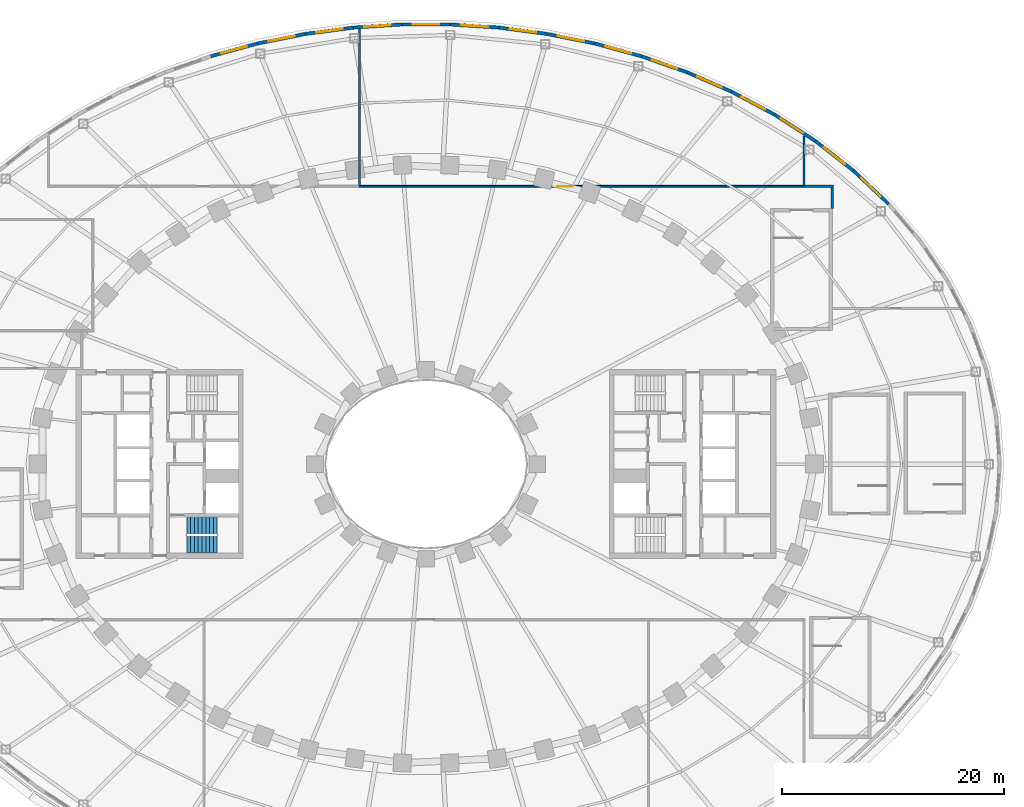
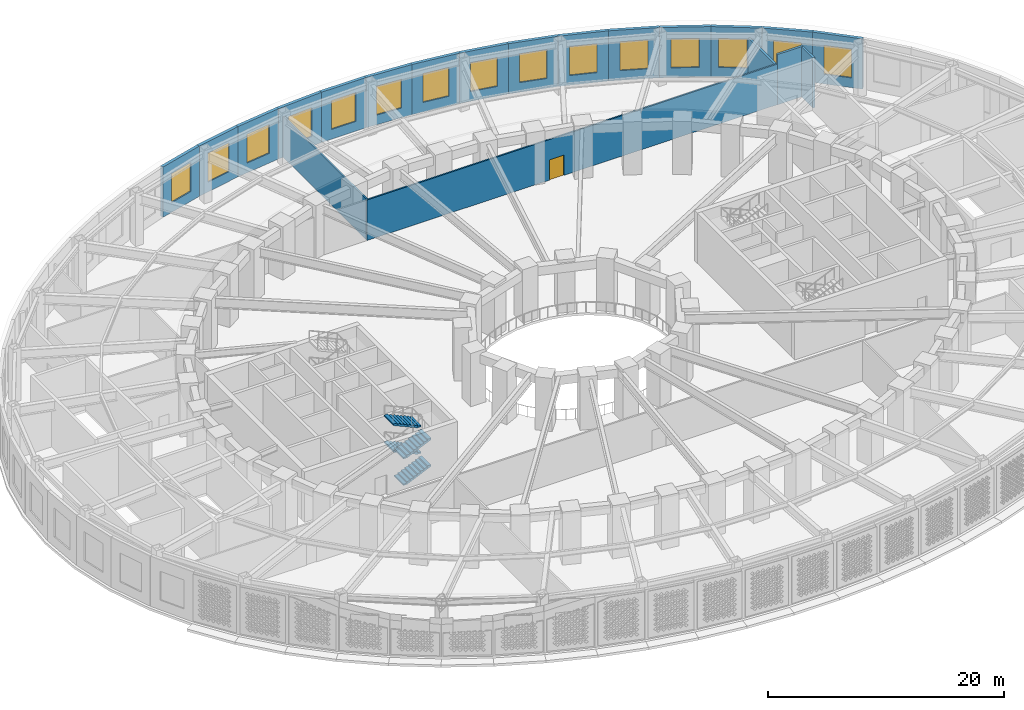
# One storey, part 16 of 63: 20 walls, 15 windows, 4 stair flights, 1 door, 16 openings, 1 element without a shape of its own.
"""IFC4 building model written with IfcOpenShell, lengths in metres."""

from ifc_helpers import new_model, si_unit, direction, frame, frame_2d, origin, place, context, subcontext, project, spatial, polyline, rectangle, outline, extrude, material, layer, layer_set, type_object, element, fill, aggregate, save


model = new_model("IFC4")

# Units and contexts
model_context = context("Model", 3, precision=1e-05, world=origin(), true_north=direction((0.0, 1.0)))
body_context = subcontext(model_context, "Body", "Model", "MODEL_VIEW")
ifc_project = project(units=[si_unit("LENGTHUNIT", "METRE"), si_unit("AREAUNIT", "SQUARE_METRE"), si_unit("VOLUMEUNIT", "CUBIC_METRE"), si_unit("PLANEANGLEUNIT", "RADIAN"), si_unit("MASSUNIT", "GRAM", prefix="KILO")], contexts=[model_context])

# Site, building, storey
site_placement = place(None, origin())
site = spatial("IfcSite", under=ifc_project, at=site_placement, CompositionType="ELEMENT")
building_placement = place(site_placement, origin())
building = spatial("IfcBuilding", under=site, at=building_placement, Name="Noorbagh Ring Tower", CompositionType="ELEMENT")
storey_placement = place(building_placement, frame((0.0, 0.0, 25.0)))
storey = spatial("IfcBuildingStorey", under=building, at=storey_placement, Name="L04", CompositionType="ELEMENT", Elevation=25.0)

# Wall, opening, window
ifc_material_1 = material(Name="Blockwork faced with red sandstone", Category="masonry")
ifc_layer_1 = layer(ifc_material_1, 0.300048828125)
ifc_layer_set_1 = layer_set([ifc_layer_1], Name="Blockwork faced with red sandstone")
wall_type_1 = type_object("IfcWallType", Name="GND-ENV-WALL", PredefinedType="SOLIDWALL", material=ifc_layer_set_1)
wall_1_placement = place(storey_placement, frame((41.61669921875, 23.406005859375, 0.0), z_axis=(0.0, 0.0, 1.0), x_axis=(-0.72620446032, 0.687478786444, 0.0)))
wall_1 = element("IfcWall", 1, at=wall_1_placement, inside=storey, type_object=wall_type_1, Name="Podium wall", PredefinedType="SOLIDWALL", context=body_context, shape_type="SweptSolid", body=[
    extrude(rectangle(XDim=4.356201171875, YDim=0.300048828125, at=frame_2d((2.17822265625, 0.0))), origin(), (0.0, 0.0, 1.0), 5.199951171875),
])
opening_1_placement = place(wall_1_placement, frame((0.97802734375, 0.0, 1.0)))
opening_1 = element("IfcOpeningElement", 2, at=opening_1_placement, cuts=wall_1, Name="Opening GWN1", PredefinedType="OPENING", context=body_context, shape_type="SweptSolid", body=[
    extrude(rectangle(XDim=2.39990234375, YDim=3.0, at=frame_2d((1.199951171875, 1.5))), frame((0.0, 0.16015625, 0.0), z_axis=(0.0, -1.0, 0.0), x_axis=(1.0, 0.0, 0.0)), (0.0, 0.0, 1.0), 0.320068359375),
])
ifc_material_2 = material(Name="Aluminium and glass", Category="aluminium")
window_type = type_object("IfcWindowType", Name="GND-ENV-WINDOW", PartitioningType="SINGLE_PANEL", PredefinedType="WINDOW", material=ifc_material_2)
window_1_placement = place(opening_1_placement, origin())
window_1 = element("IfcWindow", 3, at=window_1_placement, inside=storey, type_object=window_type, Name="L04 podium window", OverallHeight=3.0, OverallWidth=2.39990234375, PartitioningType="SINGLE_PANEL", PredefinedType="WINDOW", context=body_context, shape_type="SweptSolid", body=[
    extrude(rectangle(XDim=2.39990234375, YDim=3.0, at=frame_2d((1.199951171875, 1.5))), frame((0.0, 0.030029296875, 0.0), z_axis=(0.0, -1.0, 0.0), x_axis=(1.0, 0.0, 0.0)), (0.0, 0.0, 1.0), 0.06005859375),
])
fill(opening_1, window_1)

wall_2_placement = place(storey_placement, frame((38.453125, 26.40087890625, 0.0), z_axis=(0.0, 0.0, 1.0), x_axis=(-0.788491985196, 0.615045030288, 0.0)))
wall_2 = element("IfcWall", 4, at=wall_2_placement, inside=storey, type_object=wall_type_1, Name="Podium wall", PredefinedType="SOLIDWALL", context=body_context, shape_type="SweptSolid", body=[
    extrude(rectangle(XDim=4.359375, YDim=0.300048828125, at=frame_2d((2.1796875, 0.0))), origin(), (0.0, 0.0, 1.0), 5.199951171875),
])
opening_2_placement = place(wall_2_placement, frame((0.979736328125, 0.0, 1.0)))
opening_2 = element("IfcOpeningElement", 5, at=opening_2_placement, cuts=wall_2, Name="Opening GWN1", PredefinedType="OPENING", context=body_context, shape_type="SweptSolid", body=[
    extrude(rectangle(XDim=2.39990234375, YDim=3.0, at=frame_2d((1.199951171875, 1.5))), frame((0.0, 0.16015625, 0.0), z_axis=(0.0, -1.0, 0.0), x_axis=(1.0, 0.0, 0.0)), (0.0, 0.0, 1.0), 0.320068359375),
])
window_2_placement = place(opening_2_placement, origin())
window_2 = element("IfcWindow", 6, at=window_2_placement, inside=storey, type_object=window_type, Name="L04 podium window", OverallHeight=3.0, OverallWidth=2.39990234375, PartitioningType="SINGLE_PANEL", PredefinedType="WINDOW", context=body_context, shape_type="SweptSolid", body=[
    extrude(rectangle(XDim=2.39990234375, YDim=3.0, at=frame_2d((1.199951171875, 1.5))), frame((0.0, 0.030029296875, 0.0), z_axis=(0.0, -1.0, 0.0), x_axis=(1.0, 0.0, 0.0)), (0.0, 0.0, 1.0), 0.06005859375),
])
fill(opening_2, window_2)

wall_3_placement = place(storey_placement, frame((35.015869140625, 29.08203125, 0.0), z_axis=(0.0, 0.0, 1.0), x_axis=(-0.840047348843, 0.542513088969, 0.0)))
wall_3 = element("IfcWall", 7, at=wall_3_placement, inside=storey, type_object=wall_type_1, Name="Podium wall", PredefinedType="SOLIDWALL", context=body_context, shape_type="SweptSolid", body=[
    extrude(rectangle(XDim=4.362060546875, YDim=0.300048828125, at=frame_2d((2.18115234375, 0.0))), origin(), (0.0, 0.0, 1.0), 5.199951171875),
])
opening_3_placement = place(wall_3_placement, frame((1.291015625, 0.0, 1.0)))
opening_3 = element("IfcOpeningElement", 8, at=opening_3_placement, cuts=wall_3, Name="Opening GWN1", PredefinedType="OPENING", context=body_context, shape_type="SweptSolid", body=[
    extrude(rectangle(XDim=2.39990234375, YDim=3.0, at=frame_2d((1.199951171875, 1.5))), frame((0.0, 0.16015625, 0.0), z_axis=(0.0, -1.0, 0.0), x_axis=(1.0, 0.0, 0.0)), (0.0, 0.0, 1.0), 0.320068359375),
])
window_3_placement = place(opening_3_placement, origin())
window_3 = element("IfcWindow", 9, at=window_3_placement, inside=storey, type_object=window_type, Name="L04 podium window", OverallHeight=3.0, OverallWidth=2.39990234375, PartitioningType="SINGLE_PANEL", PredefinedType="WINDOW", context=body_context, shape_type="SweptSolid", body=[
    extrude(rectangle(XDim=2.39990234375, YDim=3.0, at=frame_2d((1.199951171875, 1.5))), frame((0.0, 0.030029296875, 0.0), z_axis=(0.0, -1.0, 0.0), x_axis=(1.0, 0.0, 0.0)), (0.0, 0.0, 1.0), 0.06005859375),
])
fill(opening_3, window_3)

wall_4_placement = place(storey_placement, frame((31.3515625, 31.448486328125, 0.0), z_axis=(0.0, 0.0, 1.0), x_axis=(-0.882159305704, 0.47095112205, 0.0)))
wall_4 = element("IfcWall", 10, at=wall_4_placement, inside=storey, type_object=wall_type_1, Name="Podium wall", PredefinedType="SOLIDWALL", context=body_context, shape_type="SweptSolid", body=[
    extrude(rectangle(XDim=4.364501953125, YDim=0.300048828125, at=frame_2d((2.18212890625, 0.0))), origin(), (0.0, 0.0, 1.0), 5.199951171875),
])
opening_4_placement = place(wall_4_placement, frame((0.982177734375, 0.0, 1.0)))
opening_4 = element("IfcOpeningElement", 11, at=opening_4_placement, cuts=wall_4, Name="Opening GWN1", PredefinedType="OPENING", context=body_context, shape_type="SweptSolid", body=[
    extrude(rectangle(XDim=2.39990234375, YDim=3.0, at=frame_2d((1.199951171875, 1.5))), frame((0.0, 0.16015625, 0.0), z_axis=(0.0, -1.0, 0.0), x_axis=(1.0, 0.0, 0.0)), (0.0, 0.0, 1.0), 0.320068359375),
])
window_4_placement = place(opening_4_placement, origin())
window_4 = element("IfcWindow", 12, at=window_4_placement, inside=storey, type_object=window_type, Name="L04 podium window", OverallHeight=3.0, OverallWidth=2.39990234375, PartitioningType="SINGLE_PANEL", PredefinedType="WINDOW", context=body_context, shape_type="SweptSolid", body=[
    extrude(rectangle(XDim=2.39990234375, YDim=3.0, at=frame_2d((1.199951171875, 1.5))), frame((0.0, 0.030029296875, 0.0), z_axis=(0.0, -1.0, 0.0), x_axis=(1.0, 0.0, 0.0)), (0.0, 0.0, 1.0), 0.06005859375),
])
fill(opening_4, window_4)

wall_5_placement = place(storey_placement, frame((27.50146484375, 33.50390625, 0.0), z_axis=(0.0, 0.0, 1.0), x_axis=(-0.916336904548, 0.400408138483, 0.0)))
wall_5 = element("IfcWall", 13, at=wall_5_placement, inside=storey, type_object=wall_type_1, Name="Podium wall", PredefinedType="SOLIDWALL", context=body_context, shape_type="SweptSolid", body=[
    extrude(rectangle(XDim=4.3662109375, YDim=0.300048828125, at=frame_2d((2.18310546875, 0.0))), origin(), (0.0, 0.0, 1.0), 5.199951171875),
])
opening_5_placement = place(wall_5_placement, frame((0.983154296875, 0.0, 1.0)))
opening_5 = element("IfcOpeningElement", 14, at=opening_5_placement, cuts=wall_5, Name="Opening GWN1", PredefinedType="OPENING", context=body_context, shape_type="SweptSolid", body=[
    extrude(rectangle(XDim=2.39990234375, YDim=3.0, at=frame_2d((1.199951171875, 1.5))), frame((0.0, 0.16015625, 0.0), z_axis=(0.0, -1.0, 0.0), x_axis=(1.0, 0.0, 0.0)), (0.0, 0.0, 1.0), 0.320068359375),
])
window_5_placement = place(opening_5_placement, origin())
window_5 = element("IfcWindow", 15, at=window_5_placement, inside=storey, type_object=window_type, Name="L04 podium window", OverallHeight=3.0, OverallWidth=2.39990234375, PartitioningType="SINGLE_PANEL", PredefinedType="WINDOW", context=body_context, shape_type="SweptSolid", body=[
    extrude(rectangle(XDim=2.39990234375, YDim=3.0, at=frame_2d((1.199951171875, 1.5))), frame((0.0, 0.030029296875, 0.0), z_axis=(0.0, -1.0, 0.0), x_axis=(1.0, 0.0, 0.0)), (0.0, 0.0, 1.0), 0.06005859375),
])
fill(opening_5, window_5)

wall_6_placement = place(storey_placement, frame((23.50048828125, 35.252197265625, 0.0), z_axis=(0.0, 0.0, 1.0), x_axis=(-0.943526738033, 0.331296384853, 0.0)))
wall_6 = element("IfcWall", 16, at=wall_6_placement, inside=storey, type_object=wall_type_1, Name="Podium wall", PredefinedType="SOLIDWALL", context=body_context, shape_type="SweptSolid", body=[
    extrude(rectangle(XDim=4.36767578125, YDim=0.300048828125, at=frame_2d((2.183837890625, 0.0))), origin(), (0.0, 0.0, 1.0), 5.199951171875),
])
opening_6_placement = place(wall_6_placement, frame((0.98388671875, 0.0, 1.0)))
opening_6 = element("IfcOpeningElement", 17, at=opening_6_placement, cuts=wall_6, Name="Opening GWN1", PredefinedType="OPENING", context=body_context, shape_type="SweptSolid", body=[
    extrude(rectangle(XDim=2.39990234375, YDim=3.0, at=frame_2d((1.199951171875, 1.5))), frame((0.0, 0.16015625, 0.0), z_axis=(0.0, -1.0, 0.0), x_axis=(1.0, 0.0, 0.0)), (0.0, 0.0, 1.0), 0.320068359375),
])
window_6_placement = place(opening_6_placement, origin())
window_6 = element("IfcWindow", 18, at=window_6_placement, inside=storey, type_object=window_type, Name="L04 podium window", OverallHeight=3.0, OverallWidth=2.39990234375, PartitioningType="SINGLE_PANEL", PredefinedType="WINDOW", context=body_context, shape_type="SweptSolid", body=[
    extrude(rectangle(XDim=2.39990234375, YDim=3.0, at=frame_2d((1.199951171875, 1.5))), frame((0.0, 0.030029296875, 0.0), z_axis=(0.0, -1.0, 0.0), x_axis=(1.0, 0.0, 0.0)), (0.0, 0.0, 1.0), 0.06005859375),
])
fill(opening_6, window_6)

wall_7_placement = place(storey_placement, frame((19.37939453125, 36.69921875, 0.0), z_axis=(0.0, 0.0, 1.0), x_axis=(-0.964679950239, 0.263424739931, 0.0)))
wall_7 = element("IfcWall", 19, at=wall_7_placement, inside=storey, type_object=wall_type_1, Name="Podium wall", PredefinedType="SOLIDWALL", context=body_context, shape_type="SweptSolid", body=[
    extrude(rectangle(XDim=4.368896484375, YDim=0.300048828125, at=frame_2d((2.1845703125, 0.0))), origin(), (0.0, 0.0, 1.0), 5.199951171875),
])
opening_7_placement = place(wall_7_placement, frame((0.984619140625, 0.0, 1.0)))
opening_7 = element("IfcOpeningElement", 20, at=opening_7_placement, cuts=wall_7, Name="Opening GWN1", PredefinedType="OPENING", context=body_context, shape_type="SweptSolid", body=[
    extrude(rectangle(XDim=2.39990234375, YDim=3.0, at=frame_2d((1.199951171875, 1.5))), frame((0.0, 0.16015625, 0.0), z_axis=(0.0, -1.0, 0.0), x_axis=(1.0, 0.0, 0.0)), (0.0, 0.0, 1.0), 0.320068359375),
])
window_7_placement = place(opening_7_placement, origin())
window_7 = element("IfcWindow", 21, at=window_7_placement, inside=storey, type_object=window_type, Name="L04 podium window", OverallHeight=3.0, OverallWidth=2.39990234375, PartitioningType="SINGLE_PANEL", PredefinedType="WINDOW", context=body_context, shape_type="SweptSolid", body=[
    extrude(rectangle(XDim=2.39990234375, YDim=3.0, at=frame_2d((1.199951171875, 1.5))), frame((0.0, 0.030029296875, 0.0), z_axis=(0.0, -1.0, 0.0), x_axis=(1.0, 0.0, 0.0)), (0.0, 0.0, 1.0), 0.06005859375),
])
fill(opening_7, window_7)

wall_8_placement = place(storey_placement, frame((15.164794921875, 37.85009765625, 0.0), z_axis=(0.0, 0.0, 1.0), x_axis=(-0.980494629762, 0.196545875071, 0.0)))
wall_8 = element("IfcWall", 22, at=wall_8_placement, inside=storey, type_object=wall_type_1, Name="Podium wall", PredefinedType="SOLIDWALL", context=body_context, shape_type="SweptSolid", body=[
    extrude(rectangle(XDim=4.369873046875, YDim=0.300048828125, at=frame_2d((2.18505859375, 0.0))), origin(), (0.0, 0.0, 1.0), 5.199951171875),
])
opening_8_placement = place(wall_8_placement, frame((0.98486328125, 0.0, 1.0)))
opening_8 = element("IfcOpeningElement", 23, at=opening_8_placement, cuts=wall_8, Name="Opening GWN1", PredefinedType="OPENING", context=body_context, shape_type="SweptSolid", body=[
    extrude(rectangle(XDim=2.39990234375, YDim=3.0, at=frame_2d((1.199951171875, 1.5))), frame((0.0, 0.16015625, 0.0), z_axis=(0.0, -1.0, 0.0), x_axis=(1.0, 0.0, 0.0)), (0.0, 0.0, 1.0), 0.320068359375),
])
window_8_placement = place(opening_8_placement, origin())
window_8 = element("IfcWindow", 24, at=window_8_placement, inside=storey, type_object=window_type, Name="L04 podium window", OverallHeight=3.0, OverallWidth=2.39990234375, PartitioningType="SINGLE_PANEL", PredefinedType="WINDOW", context=body_context, shape_type="SweptSolid", body=[
    extrude(rectangle(XDim=2.39990234375, YDim=3.0, at=frame_2d((1.199951171875, 1.5))), frame((0.0, 0.030029296875, 0.0), z_axis=(0.0, -1.0, 0.0), x_axis=(1.0, 0.0, 0.0)), (0.0, 0.0, 1.0), 0.06005859375),
])
fill(opening_8, window_8)

wall_9_placement = place(storey_placement, frame((10.880126953125, 38.708984375, 0.0), z_axis=(0.0, 0.0, 1.0), x_axis=(-0.991441741932, 0.130549884544, 0.0)))
wall_9 = element("IfcWall", 25, at=wall_9_placement, inside=storey, type_object=wall_type_1, Name="Podium wall", PredefinedType="SOLIDWALL", context=body_context, shape_type="SweptSolid", body=[
    extrude(rectangle(XDim=4.370361328125, YDim=0.300048828125, at=frame_2d((2.18505859375, 0.0))), origin(), (0.0, 0.0, 1.0), 5.199951171875),
])
opening_9_placement = place(wall_9_placement, frame((0.985107421875, 0.0, 1.0)))
opening_9 = element("IfcOpeningElement", 26, at=opening_9_placement, cuts=wall_9, Name="Opening GWN1", PredefinedType="OPENING", context=body_context, shape_type="SweptSolid", body=[
    extrude(rectangle(XDim=2.39990234375, YDim=3.0, at=frame_2d((1.199951171875, 1.5))), frame((0.0, 0.16015625, 0.0), z_axis=(0.0, -1.0, 0.0), x_axis=(1.0, 0.0, 0.0)), (0.0, 0.0, 1.0), 0.320068359375),
])
window_9_placement = place(opening_9_placement, origin())
window_9 = element("IfcWindow", 27, at=window_9_placement, inside=storey, type_object=window_type, Name="L04 podium window", OverallHeight=3.0, OverallWidth=2.39990234375, PartitioningType="SINGLE_PANEL", PredefinedType="WINDOW", context=body_context, shape_type="SweptSolid", body=[
    extrude(rectangle(XDim=2.39990234375, YDim=3.0, at=frame_2d((1.199951171875, 1.5))), frame((0.0, 0.030029296875, 0.0), z_axis=(0.0, -1.0, 0.0), x_axis=(1.0, 0.0, 0.0)), (0.0, 0.0, 1.0), 0.06005859375),
])
fill(opening_9, window_9)

wall_10_placement = place(storey_placement, frame((6.547119140625, 39.279541015625, 0.0), z_axis=(0.0, 0.0, 1.0), x_axis=(-0.997876871627, 0.065128711577, 0.0)))
wall_10 = element("IfcWall", 28, at=wall_10_placement, inside=storey, type_object=wall_type_1, Name="Podium wall", PredefinedType="SOLIDWALL", context=body_context, shape_type="SweptSolid", body=[
    extrude(rectangle(XDim=4.370849609375, YDim=0.300048828125, at=frame_2d((2.185546875, 0.0))), origin(), (0.0, 0.0, 1.0), 5.199951171875),
])
opening_10_placement = place(wall_10_placement, frame((0.9853515625, 0.0, 1.0)))
opening_10 = element("IfcOpeningElement", 29, at=opening_10_placement, cuts=wall_10, Name="Opening GWN1", PredefinedType="OPENING", context=body_context, shape_type="SweptSolid", body=[
    extrude(rectangle(XDim=2.39990234375, YDim=3.0, at=frame_2d((1.199951171875, 1.5))), frame((0.0, 0.16015625, 0.0), z_axis=(0.0, -1.0, 0.0), x_axis=(1.0, 0.0, 0.0)), (0.0, 0.0, 1.0), 0.320068359375),
])
window_10_placement = place(opening_10_placement, origin())
window_10 = element("IfcWindow", 30, at=window_10_placement, inside=storey, type_object=window_type, Name="L04 podium window", OverallHeight=3.0, OverallWidth=2.39990234375, PartitioningType="SINGLE_PANEL", PredefinedType="WINDOW", context=body_context, shape_type="SweptSolid", body=[
    extrude(rectangle(XDim=2.39990234375, YDim=3.0, at=frame_2d((1.199951171875, 1.5))), frame((0.0, 0.030029296875, 0.0), z_axis=(0.0, -1.0, 0.0), x_axis=(1.0, 0.0, 0.0)), (0.0, 0.0, 1.0), 0.06005859375),
])
fill(opening_10, window_10)

wall_11_placement = place(storey_placement, frame((2.185546875, 39.564208984375, 0.0), z_axis=(0.0, 0.0, 1.0), x_axis=(-1.0, 0.0, 0.0)))
wall_11 = element("IfcWall", 31, at=wall_11_placement, inside=storey, type_object=wall_type_1, Name="Podium wall", PredefinedType="SOLIDWALL", context=body_context, shape_type="SweptSolid", body=[
    extrude(rectangle(XDim=4.37109375, YDim=0.300048828125, at=frame_2d((2.185546875, 0.0))), origin(), (0.0, 0.0, 1.0), 5.199951171875),
])
opening_11_placement = place(wall_11_placement, frame((0.985595703125, 0.0, 1.0)))
opening_11 = element("IfcOpeningElement", 32, at=opening_11_placement, cuts=wall_11, Name="Opening GWN1", PredefinedType="OPENING", context=body_context, shape_type="SweptSolid", body=[
    extrude(rectangle(XDim=2.39990234375, YDim=3.0, at=frame_2d((1.199951171875, 1.5))), frame((0.0, 0.16015625, 0.0), z_axis=(0.0, -1.0, 0.0), x_axis=(1.0, 0.0, 0.0)), (0.0, 0.0, 1.0), 0.320068359375),
])
window_11_placement = place(opening_11_placement, origin())
window_11 = element("IfcWindow", 33, at=window_11_placement, inside=storey, type_object=window_type, Name="L04 podium window", OverallHeight=3.0, OverallWidth=2.39990234375, PartitioningType="SINGLE_PANEL", PredefinedType="WINDOW", context=body_context, shape_type="SweptSolid", body=[
    extrude(rectangle(XDim=2.39990234375, YDim=3.0, at=frame_2d((1.199951171875, 1.5))), frame((0.0, 0.030029296875, 0.0), z_axis=(0.0, -1.0, 0.0), x_axis=(1.0, 0.0, 0.0)), (0.0, 0.0, 1.0), 0.06005859375),
])
fill(opening_11, window_11)

wall_12_placement = place(storey_placement, frame((-2.185546875, 39.564208984375, 0.0), z_axis=(0.0, 0.0, 1.0), x_axis=(-0.997876871627, -0.065128711577, 0.0)))
wall_12 = element("IfcWall", 34, at=wall_12_placement, inside=storey, type_object=wall_type_1, Name="Podium wall", PredefinedType="SOLIDWALL", context=body_context, shape_type="SweptSolid", body=[
    extrude(rectangle(XDim=4.370849609375, YDim=0.300048828125, at=frame_2d((2.185546875, 0.0))), origin(), (0.0, 0.0, 1.0), 5.199951171875),
])
opening_12_placement = place(wall_12_placement, frame((0.9853515625, 0.0, 1.0)))
opening_12 = element("IfcOpeningElement", 35, at=opening_12_placement, cuts=wall_12, Name="Opening GWN1", PredefinedType="OPENING", context=body_context, shape_type="SweptSolid", body=[
    extrude(rectangle(XDim=2.39990234375, YDim=3.0, at=frame_2d((1.199951171875, 1.5))), frame((0.0, 0.16015625, 0.0), z_axis=(0.0, -1.0, 0.0), x_axis=(1.0, 0.0, 0.0)), (0.0, 0.0, 1.0), 0.320068359375),
])
window_12_placement = place(opening_12_placement, origin())
window_12 = element("IfcWindow", 36, at=window_12_placement, inside=storey, type_object=window_type, Name="L04 podium window", OverallHeight=3.0, OverallWidth=2.39990234375, PartitioningType="SINGLE_PANEL", PredefinedType="WINDOW", context=body_context, shape_type="SweptSolid", body=[
    extrude(rectangle(XDim=2.39990234375, YDim=3.0, at=frame_2d((1.199951171875, 1.5))), frame((0.0, 0.030029296875, 0.0), z_axis=(0.0, -1.0, 0.0), x_axis=(1.0, 0.0, 0.0)), (0.0, 0.0, 1.0), 0.06005859375),
])
fill(opening_12, window_12)

wall_13_placement = place(storey_placement, frame((-6.547119140625, 39.279541015625, 0.0), z_axis=(0.0, 0.0, 1.0), x_axis=(-0.991441741932, -0.130549884544, 0.0)))
wall_13 = element("IfcWall", 37, at=wall_13_placement, inside=storey, type_object=wall_type_1, Name="Podium wall", PredefinedType="SOLIDWALL", context=body_context, shape_type="SweptSolid", body=[
    extrude(rectangle(XDim=4.370361328125, YDim=0.300048828125, at=frame_2d((2.18505859375, 0.0))), origin(), (0.0, 0.0, 1.0), 5.199951171875),
])
opening_13_placement = place(wall_13_placement, frame((0.985107421875, 0.0, 1.0)))
opening_13 = element("IfcOpeningElement", 38, at=opening_13_placement, cuts=wall_13, Name="Opening GWN1", PredefinedType="OPENING", context=body_context, shape_type="SweptSolid", body=[
    extrude(rectangle(XDim=2.39990234375, YDim=3.0, at=frame_2d((1.199951171875, 1.5))), frame((0.0, 0.16015625, 0.0), z_axis=(0.0, -1.0, 0.0), x_axis=(1.0, 0.0, 0.0)), (0.0, 0.0, 1.0), 0.320068359375),
])
window_13_placement = place(opening_13_placement, origin())
window_13 = element("IfcWindow", 39, at=window_13_placement, inside=storey, type_object=window_type, Name="L04 podium window", OverallHeight=3.0, OverallWidth=2.39990234375, PartitioningType="SINGLE_PANEL", PredefinedType="WINDOW", context=body_context, shape_type="SweptSolid", body=[
    extrude(rectangle(XDim=2.39990234375, YDim=3.0, at=frame_2d((1.199951171875, 1.5))), frame((0.0, 0.030029296875, 0.0), z_axis=(0.0, -1.0, 0.0), x_axis=(1.0, 0.0, 0.0)), (0.0, 0.0, 1.0), 0.06005859375),
])
fill(opening_13, window_13)

wall_14_placement = place(storey_placement, frame((-10.880126953125, 38.708984375, 0.0), z_axis=(0.0, 0.0, 1.0), x_axis=(-0.980494629762, -0.196545875071, 0.0)))
wall_14 = element("IfcWall", 40, at=wall_14_placement, inside=storey, type_object=wall_type_1, Name="Podium wall", PredefinedType="SOLIDWALL", context=body_context, shape_type="SweptSolid", body=[
    extrude(rectangle(XDim=4.369873046875, YDim=0.300048828125, at=frame_2d((2.18505859375, 0.0))), origin(), (0.0, 0.0, 1.0), 5.199951171875),
])
opening_14_placement = place(wall_14_placement, frame((0.98486328125, 0.0, 1.0)))
opening_14 = element("IfcOpeningElement", 41, at=opening_14_placement, cuts=wall_14, Name="Opening GWN1", PredefinedType="OPENING", context=body_context, shape_type="SweptSolid", body=[
    extrude(rectangle(XDim=2.39990234375, YDim=3.0, at=frame_2d((1.199951171875, 1.5))), frame((0.0, 0.16015625, 0.0), z_axis=(0.0, -1.0, 0.0), x_axis=(1.0, 0.0, 0.0)), (0.0, 0.0, 1.0), 0.320068359375),
])
window_14_placement = place(opening_14_placement, origin())
window_14 = element("IfcWindow", 42, at=window_14_placement, inside=storey, type_object=window_type, Name="L04 podium window", OverallHeight=3.0, OverallWidth=2.39990234375, PartitioningType="SINGLE_PANEL", PredefinedType="WINDOW", context=body_context, shape_type="SweptSolid", body=[
    extrude(rectangle(XDim=2.39990234375, YDim=3.0, at=frame_2d((1.199951171875, 1.5))), frame((0.0, 0.030029296875, 0.0), z_axis=(0.0, -1.0, 0.0), x_axis=(1.0, 0.0, 0.0)), (0.0, 0.0, 1.0), 0.06005859375),
])
fill(opening_14, window_14)

wall_15_placement = place(storey_placement, frame((-15.164794921875, 37.85009765625, 0.0), z_axis=(0.0, 0.0, 1.0), x_axis=(-0.964679950239, -0.263424739931, 0.0)))
wall_15 = element("IfcWall", 43, at=wall_15_placement, inside=storey, type_object=wall_type_1, Name="Podium wall", PredefinedType="SOLIDWALL", context=body_context, shape_type="SweptSolid", body=[
    extrude(rectangle(XDim=4.368896484375, YDim=0.300048828125, at=frame_2d((2.1845703125, 0.0))), origin(), (0.0, 0.0, 1.0), 5.199951171875),
])
opening_15_placement = place(wall_15_placement, frame((0.984619140625, 0.0, 1.0)))
opening_15 = element("IfcOpeningElement", 44, at=opening_15_placement, cuts=wall_15, Name="Opening GWN1", PredefinedType="OPENING", context=body_context, shape_type="SweptSolid", body=[
    extrude(rectangle(XDim=2.39990234375, YDim=3.0, at=frame_2d((1.199951171875, 1.5))), frame((0.0, 0.16015625, 0.0), z_axis=(0.0, -1.0, 0.0), x_axis=(1.0, 0.0, 0.0)), (0.0, 0.0, 1.0), 0.320068359375),
])
window_15_placement = place(opening_15_placement, origin())
window_15 = element("IfcWindow", 45, at=window_15_placement, inside=storey, type_object=window_type, Name="L04 podium window", OverallHeight=3.0, OverallWidth=2.39990234375, PartitioningType="SINGLE_PANEL", PredefinedType="WINDOW", context=body_context, shape_type="SweptSolid", body=[
    extrude(rectangle(XDim=2.39990234375, YDim=3.0, at=frame_2d((1.199951171875, 1.5))), frame((0.0, 0.030029296875, 0.0), z_axis=(0.0, -1.0, 0.0), x_axis=(1.0, 0.0, 0.0)), (0.0, 0.0, 1.0), 0.06005859375),
])
fill(opening_15, window_15)

# Wall
ifc_material_3 = material(Name="Gypsum board on steel studs", Category="steel")
ifc_layer_2 = layer(ifc_material_3, 0.14990234375)
ifc_layer_set_2 = layer_set([ifc_layer_2], Name="Gypsum board on steel studs")
wall_type_2 = type_object("IfcWallType", Name="GND-PART-150", PredefinedType="PARTITIONING", material=ifc_layer_set_2)
wall_16_placement = place(storey_placement, frame((-6.0, 39.164794921875, 0.0), z_axis=(0.0, 0.0, 1.0), x_axis=(0.0, -1.0, 0.0)))
element("IfcWall", 46, at=wall_16_placement, inside=storey, type_object=wall_type_2, Name="L04/wall/P007", PredefinedType="PARTITIONING", context=body_context, shape_type="SweptSolid", body=[
    extrude(rectangle(XDim=14.08984375, YDim=0.14990234375, at=frame_2d((7.044921875, 0.0))), origin(), (0.0, 0.0, 1.0), 4.199951171875),
])

# Wall, opening, door
wall_17_placement = place(storey_placement, frame((34.10009765625, 25.0, 0.0), z_axis=(0.0, 0.0, 1.0), x_axis=(-1.0, 0.0, 0.0)))
wall_17 = element("IfcWall", 47, at=wall_17_placement, inside=storey, type_object=wall_type_2, Name="L04/wall/P011", PredefinedType="PARTITIONING", context=body_context, shape_type="SweptSolid", body=[
    extrude(rectangle(XDim=40.175048828125, YDim=0.14990234375, at=frame_2d((20.08740234375, 0.0))), origin(), (0.0, 0.0, 1.0), 4.199951171875),
])
opening_16_placement = place(wall_17_placement, frame((20.887451171875, 0.0, 0.0)))
opening_16 = element("IfcOpeningElement", 48, at=opening_16_placement, cuts=wall_17, Name="Opening GD8", PredefinedType="OPENING", context=body_context, shape_type="SweptSolid", body=[
    extrude(rectangle(XDim=1.39990234375, YDim=2.10009765625, at=frame_2d((0.699951171875, 1.050048828125))), frame((0.0, 0.0849609375, 0.0), z_axis=(0.0, -1.0, 0.0), x_axis=(1.0, 0.0, 0.0)), (0.0, 0.0, 1.0), 0.169921875),
])
ifc_material_4 = material(Name="Timber and glass", Category="wood")
door_type = type_object("IfcDoorType", Name="GND-DOOR-HALL-14", OperationType="DOUBLE_DOOR_SINGLE_SWING", PredefinedType="DOOR", material=ifc_material_4)
door_placement = place(opening_16_placement, origin())
door = element("IfcDoor", 49, at=door_placement, inside=storey, type_object=door_type, Name="Upper lounge door", OperationType="DOUBLE_DOOR_SINGLE_SWING", OverallHeight=2.10009765625, OverallWidth=1.39990234375, PredefinedType="DOOR", context=body_context, shape_type="SweptSolid", body=[
    extrude(rectangle(XDim=1.39990234375, YDim=2.10009765625, at=frame_2d((0.699951171875, 1.050048828125))), frame((0.0, 0.02490234375, 0.0), z_axis=(0.0, -1.0, 0.0), x_axis=(1.0, 0.0, 0.0)), (0.0, 0.0, 1.0), 0.050048828125),
])
fill(opening_16, door)

# Walls
ifc_material_5 = material(Name="Reinforced blockwork", Category="masonry")
ifc_layer_3 = layer(ifc_material_5, 0.199951171875)
ifc_layer_set_3 = layer_set([ifc_layer_3], Name="Reinforced blockwork")
wall_type_3 = type_object("IfcWallType", Name="GND-PART-200", PredefinedType="PARTITIONING", material=ifc_layer_set_3)
wall_18_placement = place(storey_placement, frame((34.0, 29.509521484375, 0.0), z_axis=(0.0, 0.0, 1.0), x_axis=(0.0, -1.0, 0.0)))
element("IfcWall", 50, at=wall_18_placement, inside=storey, type_object=wall_type_3, Name="L04/wall/P010", PredefinedType="PARTITIONING", context=body_context, shape_type="SweptSolid", body=[
    extrude(rectangle(XDim=4.4345703125, YDim=0.199951171875, at=frame_2d((2.21728515625, 0.0))), origin(), (0.0, 0.0, 1.0), 4.199951171875),
])
wall_19_placement = place(storey_placement, frame((36.550048828125, 22.989990234375, 0.0), z_axis=(0.0, 0.0, 1.0), x_axis=(0.0, 1.0, 0.0)))
element("IfcWall", 51, at=wall_19_placement, inside=storey, type_object=wall_type_3, Name="L04/wall/P013", PredefinedType="PARTITIONING", context=body_context, shape_type="SweptSolid", body=[
    extrude(rectangle(XDim=1.909912109375, YDim=0.199951171875, at=frame_2d((0.955078125, 0.0))), origin(), (0.0, 0.0, 1.0), 5.199951171875),
])
wall_20_placement = place(storey_placement, frame((36.64990234375, 25.0, 0.0), z_axis=(0.0, 0.0, 1.0), x_axis=(-1.0, 0.0, 0.0)))
element("IfcWall", 52, at=wall_20_placement, inside=storey, type_object=wall_type_3, Name="L04/wall/P014", PredefinedType="PARTITIONING", context=body_context, shape_type="SweptSolid", body=[
    extrude(rectangle(XDim=2.5498046875, YDim=0.199951171875, at=frame_2d((1.27490234375, 0.0))), origin(), (0.0, 0.0, 1.0), 5.199951171875),
])

# Stair, stair flights
ifc_material_6 = material(Name="Concrete C40/50", Category="concrete")
stair_type = type_object("IfcStairType", Name="CORE-STAIR", PredefinedType="HALF_TURN_STAIR", material=ifc_material_6)
stair_placement = place(storey_placement, origin())
stair = element("IfcStair", 53, at=stair_placement, inside=storey, type_object=stair_type, Name="L04 Exit stair ST2", PredefinedType="HALF_TURN_STAIR")
ifc_material_7 = material(Name="Concrete C40/50", Category="concrete")
stair_flight_type = type_object("IfcStairFlightType", Name="CORE-STAIR-FLIGHT", PredefinedType="STRAIGHT", material=ifc_material_7)
stair_flight_1_placement = place(storey_placement, frame((-21.530029296875, -7.22509765625, 0.0), z_axis=(0.0, 0.0, 1.0), x_axis=(1.0, 0.0, 0.0)))
stair_flight_1 = element("IfcStairFlight", 54, at=stair_flight_1_placement, type_object=stair_flight_type, Name="ST2 flight 1", NumberOfRisers=9, NumberOfTreads=8, PredefinedType="STRAIGHT", RiserHeight=0.152777778, TreadLength=0.34, context=body_context, shape_type="SweptSolid", body=[
    extrude(outline(polyline([(0.0, 0.0), (0.0, 0.15283203125), (0.340087890625, 0.15283203125), (0.340087890625, 0.3056640625), (0.679931640625, 0.3056640625), (0.679931640625, 0.458251953125), (1.02001953125, 0.458251953125), (1.02001953125, 0.611083984375), (1.360107421875, 0.611083984375), (1.360107421875, 0.763916015625), (1.699951171875, 0.763916015625), (1.699951171875, 0.916748046875), (2.0400390625, 0.916748046875), (2.0400390625, 1.0693359375), (2.3798828125, 1.0693359375), (2.3798828125, 1.22216796875), (2.719970703125, 1.22216796875), (2.719970703125, 1.375), (2.719970703125, 1.057861328125), (0.36572265625, 0.0), (0.0, 0.0)])), frame((0.0, 0.77490234375, 0.0), z_axis=(0.0, -1.0, 0.0), x_axis=(1.0, 0.0, 0.0)), (0.0, 0.0, 1.0), 1.550048828125),
])
stair_flight_2_placement = place(storey_placement, frame((-18.81005859375, -5.52490234375, 1.375), z_axis=(0.0, 0.0, 1.0), x_axis=(-1.0, 0.0, 0.0)))
stair_flight_2 = element("IfcStairFlight", 55, at=stair_flight_2_placement, type_object=stair_flight_type, Name="ST2 flight 2", NumberOfRisers=9, NumberOfTreads=8, PredefinedType="STRAIGHT", RiserHeight=0.152777778, TreadLength=0.34, context=body_context, shape_type="SweptSolid", body=[
    extrude(outline(polyline([(0.0, 0.0), (0.0, 0.15283203125), (0.340087890625, 0.15283203125), (0.340087890625, 0.3056640625), (0.679931640625, 0.3056640625), (0.679931640625, 0.458251953125), (1.02001953125, 0.458251953125), (1.02001953125, 0.611083984375), (1.360107421875, 0.611083984375), (1.360107421875, 0.763916015625), (1.699951171875, 0.763916015625), (1.699951171875, 0.916748046875), (2.0400390625, 0.916748046875), (2.0400390625, 1.0693359375), (2.3798828125, 1.0693359375), (2.3798828125, 1.22216796875), (2.719970703125, 1.22216796875), (2.719970703125, 1.375), (2.719970703125, 1.057861328125), (0.36572265625, 0.0), (0.0, 0.0)])), frame((0.0, 0.77490234375, 0.0), z_axis=(0.0, -1.0, 0.0), x_axis=(1.0, 0.0, 0.0)), (0.0, 0.0, 1.0), 1.550048828125),
])
stair_flight_3_placement = place(storey_placement, frame((-21.530029296875, -7.22509765625, 2.75), z_axis=(0.0, 0.0, 1.0), x_axis=(1.0, 0.0, 0.0)))
stair_flight_3 = element("IfcStairFlight", 56, at=stair_flight_3_placement, type_object=stair_flight_type, Name="ST2 flight 3", NumberOfRisers=9, NumberOfTreads=8, PredefinedType="STRAIGHT", RiserHeight=0.152777778, TreadLength=0.34, context=body_context, shape_type="SweptSolid", body=[
    extrude(outline(polyline([(0.0, 0.0), (0.0, 0.15283203125), (0.340087890625, 0.15283203125), (0.340087890625, 0.3056640625), (0.679931640625, 0.3056640625), (0.679931640625, 0.458251953125), (1.02001953125, 0.458251953125), (1.02001953125, 0.611083984375), (1.360107421875, 0.611083984375), (1.360107421875, 0.763916015625), (1.699951171875, 0.763916015625), (1.699951171875, 0.916748046875), (2.0400390625, 0.916748046875), (2.0400390625, 1.0693359375), (2.3798828125, 1.0693359375), (2.3798828125, 1.22216796875), (2.719970703125, 1.22216796875), (2.719970703125, 1.375), (2.719970703125, 1.057861328125), (0.36572265625, 0.0), (0.0, 0.0)])), frame((0.0, 0.77490234375, 0.0), z_axis=(0.0, -1.0, 0.0), x_axis=(1.0, 0.0, 0.0)), (0.0, 0.0, 1.0), 1.550048828125),
])
stair_flight_4_placement = place(storey_placement, frame((-18.81005859375, -5.52490234375, 4.125), z_axis=(0.0, 0.0, 1.0), x_axis=(-1.0, 0.0, 0.0)))
stair_flight_4 = element("IfcStairFlight", 57, at=stair_flight_4_placement, type_object=stair_flight_type, Name="ST2 flight 4", NumberOfRisers=9, NumberOfTreads=8, PredefinedType="STRAIGHT", RiserHeight=0.152777778, TreadLength=0.34, context=body_context, shape_type="SweptSolid", body=[
    extrude(outline(polyline([(0.0, 0.0), (0.0, 0.15283203125), (0.340087890625, 0.15283203125), (0.340087890625, 0.3056640625), (0.679931640625, 0.3056640625), (0.679931640625, 0.458251953125), (1.02001953125, 0.458251953125), (1.02001953125, 0.611083984375), (1.360107421875, 0.611083984375), (1.360107421875, 0.763916015625), (1.699951171875, 0.763916015625), (1.699951171875, 0.916748046875), (2.0400390625, 0.916748046875), (2.0400390625, 1.0693359375), (2.3798828125, 1.0693359375), (2.3798828125, 1.22216796875), (2.719970703125, 1.22216796875), (2.719970703125, 1.375), (2.719970703125, 1.057861328125), (0.36572265625, 0.0), (0.0, 0.0)])), frame((0.0, 0.77490234375, 0.0), z_axis=(0.0, -1.0, 0.0), x_axis=(1.0, 0.0, 0.0)), (0.0, 0.0, 1.0), 1.550048828125),
])
aggregate(stair, [stair_flight_1, stair_flight_2, stair_flight_3, stair_flight_4])

save(model, "model.ifc")
